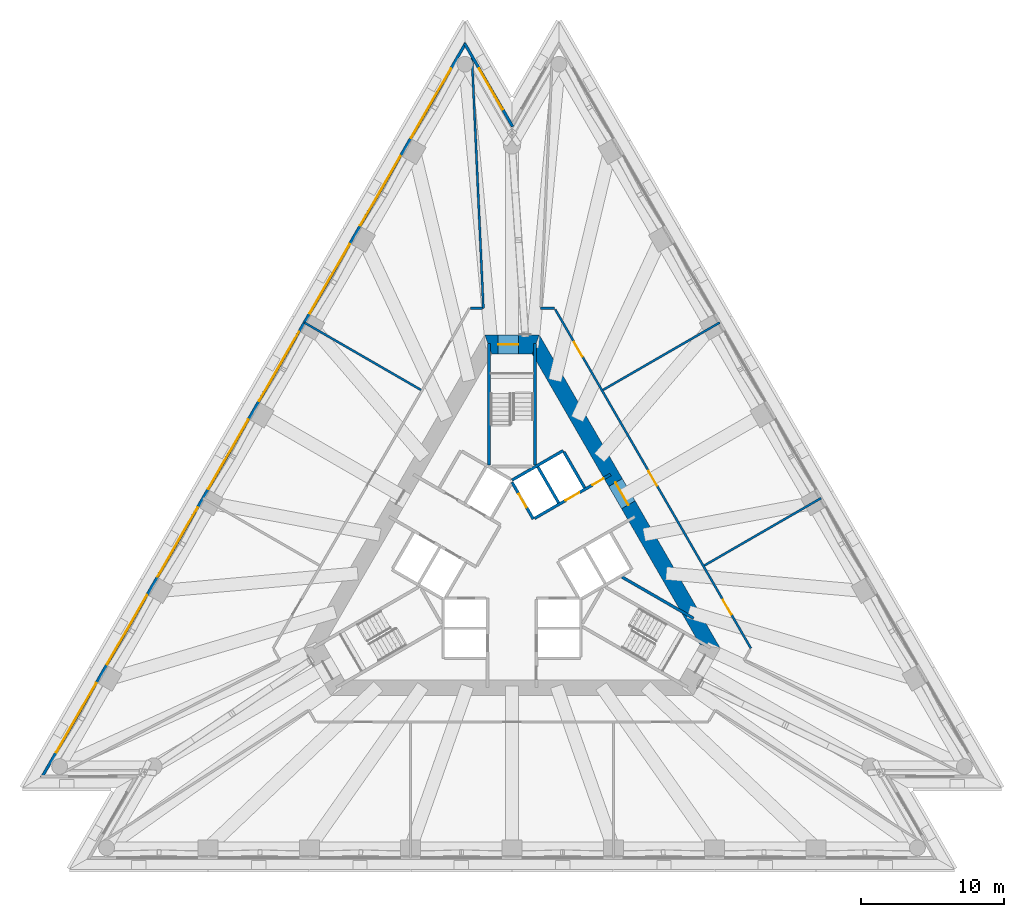
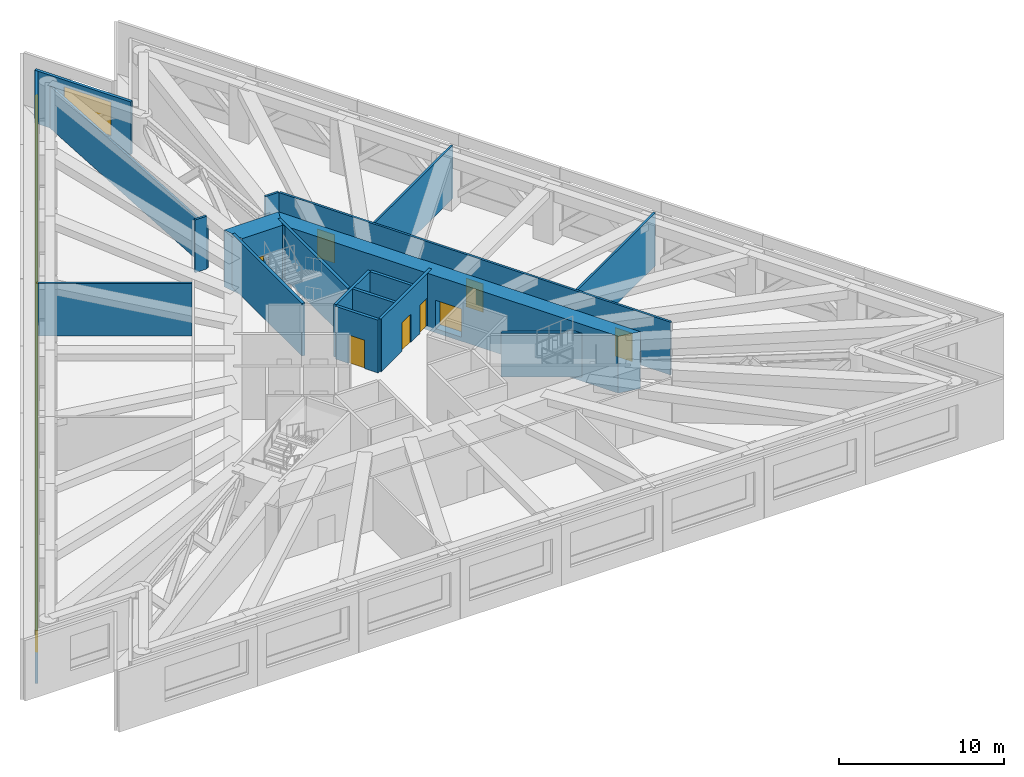
# One storey, part 9 of 13: 19 walls, 9 windows, 8 doors, 17 openings.
"""IFC4 building model written with IfcOpenShell, lengths in metres."""

from ifc_helpers import new_model, si_unit, direction, frame, frame_2d, origin, place, context, subcontext, project, spatial, polyline, rectangle, outline, extrude, material, layer, layer_set, layer_usage, type_object, element, fill, save


model = new_model("IFC4")

# Units and contexts
model_context = context("Model", 3, precision=1e-05, world=origin(), true_north=direction((0.0, 1.0)))
body_context = subcontext(model_context, "Body", "Model", "MODEL_VIEW")
ifc_project = project(units=[si_unit("LENGTHUNIT", "METRE"), si_unit("AREAUNIT", "SQUARE_METRE"), si_unit("VOLUMEUNIT", "CUBIC_METRE"), si_unit("PLANEANGLEUNIT", "RADIAN"), si_unit("MASSUNIT", "GRAM", prefix="KILO")], contexts=[model_context])

# Site, building, storey
site_placement = place(None, origin())
site = spatial("IfcSite", under=ifc_project, at=site_placement, CompositionType="ELEMENT")
building_placement = place(site_placement, origin())
building = spatial("IfcBuilding", under=site, at=building_placement, Name="Triada Interchange Tower", CompositionType="ELEMENT")
storey_placement = place(building_placement, frame((0.0, 0.0, 95.300048828125)))
storey = spatial("IfcBuildingStorey", under=building, at=storey_placement, Name="L21", CompositionType="ELEMENT", Elevation=95.300048828125)

# Wall
ifc_material_1 = material(Name="Concrete C30/37", Category="concrete")
ifc_layer_1 = layer(ifc_material_1, 0.199951171875)
ifc_layer_set_1 = layer_set([ifc_layer_1], Name="CORE WALL 200 EI 120")
wall_type_1 = type_object("IfcWallType", Name="CORE WALL 200 EI 120", PredefinedType="SOLIDWALL", material=ifc_layer_set_1)
wall_1_placement = place(storey_placement, frame((-0.001953125, 5.541015625, 0.0), z_axis=(0.0, 0.0, 1.0), x_axis=(0.86600155993, 0.500041296494, 0.0)))
element("IfcWall", 1, at=wall_1_placement, inside=storey, type_object=wall_type_1, Name="Wall L21 32", PredefinedType="SOLIDWALL", context=body_context, shape_type="SweptSolid", body=[
    extrude(rectangle(XDim=4.131591796875, YDim=0.199951171875, at=frame_2d((2.06591796875, 0.0))), origin(), (0.0, 0.0, 1.0), 3.89990234375),
])

# Wall, opening, door
wall_2_placement = place(storey_placement, frame((0.0, 5.39990234375, 0.0), z_axis=(0.0, 0.0, 1.0), x_axis=(0.500103862429, -0.865965430478, 0.0)))
wall_2 = element("IfcWall", 2, at=wall_2_placement, inside=storey, type_object=wall_type_1, Name="Wall L21 33", PredefinedType="SOLIDWALL", context=body_context, shape_type="SweptSolid", body=[
    extrude(rectangle(XDim=2.973388671875, YDim=0.199951171875, at=frame_2d((1.48681640625, 0.0))), origin(), (0.0, 0.0, 1.0), 3.89990234375),
])
opening_1_placement = place(wall_2_placement, frame((0.93701171875, 0.0, 0.0)))
opening_1 = element("IfcOpeningElement", 3, at=opening_1_placement, cuts=wall_2, Name="Opening LD-LR5", PredefinedType="OPENING", context=body_context, shape_type="SweptSolid", body=[
    extrude(rectangle(XDim=1.10009765625, YDim=2.10009765625, at=frame_2d((0.550048828125, 1.050048828125))), frame((0.0, 0.10986328125, 0.0), z_axis=(0.0, -1.0, 0.0), x_axis=(1.0, 0.0, 0.0)), (0.0, 0.0, 1.0), 0.219970703125),
])
ifc_material_2 = material(Name="Steel S235 door leaf", Category="steel")
door_type_1 = type_object("IfcDoorType", Name="LIFT LANDING DOOR 1100 EI 120", OperationType="SLIDING_TO_LEFT", PredefinedType="DOOR", material=ifc_material_2)
door_1_placement = place(opening_1_placement, origin())
door_1 = element("IfcDoor", 4, at=door_1_placement, inside=storey, type_object=door_type_1, Name="LR5 landing door L21", OperationType="SLIDING_TO_LEFT", OverallHeight=2.10009765625, OverallWidth=1.10009765625, PredefinedType="DOOR", context=body_context, shape_type="SweptSolid", body=[
    extrude(rectangle(XDim=1.10009765625, YDim=2.10009765625, at=frame_2d((0.550048828125, 1.050048828125))), frame((0.0, 0.02490234375, 0.0), z_axis=(0.0, -1.0, 0.0), x_axis=(1.0, 0.0, 0.0)), (0.0, 0.0, 1.0), 0.050048828125),
])
fill(opening_1, door_1)

# Wall, openings, doors
wall_3_placement = place(storey_placement, frame((1.577880859375, 2.8740234375, 0.0), z_axis=(0.0, 0.0, 1.0), x_axis=(0.866062167127, 0.499936318615, 0.0)))
wall_3 = element("IfcWall", 5, at=wall_3_placement, inside=storey, type_object=wall_type_1, Name="Wall L21 35", PredefinedType="SOLIDWALL", context=body_context, shape_type="SweptSolid", body=[
    extrude(rectangle(XDim=6.126708984375, YDim=0.199951171875, at=frame_2d((3.0634765625, 0.0))), origin(), (0.0, 0.0, 1.0), 3.89990234375),
])
opening_2_placement = place(wall_3_placement, frame((2.49609375, 0.0, 0.0)))
opening_2 = element("IfcOpeningElement", 6, at=opening_2_placement, cuts=wall_3, Name="Opening LD-LR6", PredefinedType="OPENING", context=body_context, shape_type="SweptSolid", body=[
    extrude(rectangle(XDim=1.10009765625, YDim=2.10009765625, at=frame_2d((0.550048828125, 1.050048828125))), frame((0.0, 0.10986328125, 0.0), z_axis=(0.0, -1.0, 0.0), x_axis=(1.0, 0.0, 0.0)), (0.0, 0.0, 1.0), 0.219970703125),
])
opening_3_placement = place(wall_3_placement, frame((4.6708984375, 0.0, 0.0)))
opening_3 = element("IfcOpeningElement", 7, at=opening_3_placement, cuts=wall_3, Name="Opening D21-26", PredefinedType="OPENING", context=body_context, shape_type="SweptSolid", body=[
    extrude(rectangle(XDim=0.89990234375, YDim=2.10009765625, at=frame_2d((0.449951171875, 1.050048828125))), frame((0.0, 0.10986328125, 0.0), z_axis=(0.0, -1.0, 0.0), x_axis=(1.0, 0.0, 0.0)), (0.0, 0.0, 1.0), 0.219970703125),
])
door_2_placement = place(opening_2_placement, origin())
door_2 = element("IfcDoor", 8, at=door_2_placement, inside=storey, type_object=door_type_1, Name="LR6 landing door L21", OperationType="SLIDING_TO_LEFT", OverallHeight=2.10009765625, OverallWidth=1.10009765625, PredefinedType="DOOR", context=body_context, shape_type="SweptSolid", body=[
    extrude(rectangle(XDim=1.10009765625, YDim=2.10009765625, at=frame_2d((0.550048828125, 1.050048828125))), frame((0.0, 0.02490234375, 0.0), z_axis=(0.0, -1.0, 0.0), x_axis=(1.0, 0.0, 0.0)), (0.0, 0.0, 1.0), 0.050048828125),
])
fill(opening_2, door_2)
door_type_2 = type_object("IfcDoorType", Name="SERVICE DOOR 900 EI2 45-C5S200", OperationType="NOTDEFINED", PredefinedType="DOOR", material=ifc_material_2)
door_3_placement = place(opening_3_placement, origin())
door_3 = element("IfcDoor", 9, at=door_3_placement, inside=storey, type_object=door_type_2, Name="Door D21-26 L21", OperationType="SINGLE_SWING_LEFT", OverallHeight=2.10009765625, OverallWidth=0.89990234375, PredefinedType="DOOR", context=body_context, shape_type="SweptSolid", body=[
    extrude(rectangle(XDim=0.89990234375, YDim=2.10009765625, at=frame_2d((0.449951171875, 1.050048828125))), frame((0.0, 0.02490234375, 0.0), z_axis=(0.0, -1.0, 0.0), x_axis=(1.0, 0.0, 0.0)), (0.0, 0.0, 1.0), 0.050048828125),
])
fill(opening_3, door_3)

# Walls
for number, where, z_axis, x_axis, name in (
    (10, (3.6259765625, 7.52001953125, 0.0), (0.0, 0.0, 1.0), (0.500060147554, -0.865990674793, 0.0), "Wall L21 39"),
    (11, (1.806884765625, 6.469970703125, 0.0), (0.0, 0.0, 1.0), (0.50012328804, -0.865954211699, 0.0), "Wall L21 41"),
):
    element("IfcWall", number, at=place(storey_placement, frame(where, z_axis=z_axis, x_axis=x_axis)), inside=storey, type_object=wall_type_1, Name=name, PredefinedType="SOLIDWALL", context=body_context, shape_type="SweptSolid", body=[
        extrude(rectangle(XDim=2.899658203125, YDim=0.199951171875, at=frame_2d((1.44970703125, 0.0))), origin(), (0.0, 0.0, 1.0), 3.89990234375),
    ])
ifc_layer_2 = layer(ifc_material_1, 0.199951171875)
ifc_layer_set_2 = layer_set([ifc_layer_2], Name="CORE WALL 200 EI 90")
wall_type_2 = type_object("IfcWallType", Name="CORE WALL 200 EI 90", PredefinedType="SOLIDWALL", material=ifc_layer_set_2)
wall_4_placement = place(storey_placement, frame((7.68310546875, -1.221923828125, 0.0), z_axis=(0.0, 0.0, 1.0), x_axis=(0.865960281868, -0.500112777509, 0.0)))
element("IfcWall", 12, at=wall_4_placement, inside=storey, type_object=wall_type_2, Name="Wall L21 59", PredefinedType="SOLIDWALL", context=body_context, shape_type="SweptSolid", body=[
    extrude(rectangle(XDim=5.775146484375, YDim=0.199951171875, at=frame_2d((2.8876953125, 0.0))), origin(), (0.0, 0.0, 1.0), 3.25),
])
ifc_layer_3 = layer(ifc_material_1, 0.199951171875)
ifc_layer_set_3 = layer_set([ifc_layer_3], Name="CORE WALL 200 REI 240")
wall_type_3 = type_object("IfcWallType", Name="CORE WALL 200 REI 240", PredefinedType="SOLIDWALL", material=ifc_layer_set_3)
for number, where, z_axis, x_axis, name in (
    (13, (1.60009765625, 6.614990234375, 0.0), (0.0, 0.0, 1.0), (0.0, 1.0, 0.0), "Wall L21 63"),
    (14, (-1.60009765625, 6.614990234375, 0.0), (0.0, 0.0, 1.0), (0.0, 1.0, 0.0), "Wall L21 65"),
):
    element("IfcWall", number, at=place(storey_placement, frame(where, z_axis=z_axis, x_axis=x_axis)), inside=storey, type_object=wall_type_3, Name=name, PredefinedType="SOLIDWALL", context=body_context, shape_type="SweptSolid", body=[
        extrude(rectangle(XDim=8.47412109375, YDim=0.199951171875, at=frame_2d((4.237060546875, 0.0))), origin(), (0.0, 0.0, 1.0), 3.89990234375),
    ])

# Wall, opening, door
ifc_material_3 = material(Name="Concrete C70/85", Category="concrete")
ifc_layer_4 = layer(ifc_material_3, 1.10009765625)
ifc_layer_set_4 = layer_set([ifc_layer_4], Name="Core wall A 1100")
wall_type_4 = type_object("IfcWallType", Name="Core wall A 1100", PredefinedType="SHEAR", material=ifc_layer_set_4)
wall_5_placement = place(storey_placement, frame((13.842041015625, -6.074951171875, -0.300048828125), z_axis=(0.0, 0.0, 1.0), x_axis=(-0.500003780125, 0.866023221317, 0.0)))
wall_5 = element("IfcWall", 15, at=wall_5_placement, inside=storey, type_object=wall_type_4, Name="Core wall WA06 L21", PredefinedType="SHEAR", context=body_context, shape_type="SweptSolid", body=[
    extrude(outline(polyline([(-0.4619140625, -0.550048828125), (1.4833984375, -0.550048828125), (3.428466796875, -0.550048828125), (5.373779296875, -0.550048828125), (7.31884765625, -0.550048828125), (9.26416015625, -0.550048828125), (11.20947265625, -0.550048828125), (13.154541015625, -0.550048828125), (15.099853515625, -0.550048828125), (17.045166015625, -0.550048828125), (18.990234375, -0.550048828125), (20.935546875, -0.550048828125), (22.880615234375, -0.550048828125), (24.825927734375, -0.550048828125), (23.902099609375, 0.550048828125), (21.94873046875, 0.550048828125), (19.995361328125, 0.550048828125), (18.0419921875, 0.550048828125), (16.088623046875, 0.550048828125), (14.13525390625, 0.550048828125), (12.18212890625, 0.550048828125), (10.228759765625, 0.550048828125), (8.275390625, 0.550048828125), (6.322021484375, 0.550048828125), (4.36865234375, 0.550048828125), (2.415283203125, 0.550048828125), (0.4619140625, 0.550048828125), (-0.4619140625, -0.550048828125)])), origin(), (0.0, 0.0, 1.0), 4.199951171875),
])
opening_4_placement = place(wall_5_placement, frame((11.426025390625, 0.0, 0.300048828125)))
opening_4 = element("IfcOpeningElement", 16, at=opening_4_placement, cuts=wall_5, Name="Opening D21-20", PredefinedType="OPENING", context=body_context, shape_type="SweptSolid", body=[
    extrude(rectangle(XDim=1.800048828125, YDim=2.10009765625, at=frame_2d((0.89990234375, 1.050048828125))), frame((0.0, 0.56005859375, 0.0), z_axis=(0.0, -1.0, 0.0), x_axis=(1.0, 0.0, 0.0)), (0.0, 0.0, 1.0), 1.1201171875),
])
door_type_3 = type_object("IfcDoorType", Name="LOBBY DOOR 1800 EI2 90-C5S200", OperationType="DOUBLE_DOOR_SINGLE_SWING", PredefinedType="DOOR", material=ifc_material_2)
door_4_placement = place(opening_4_placement, origin())
door_4 = element("IfcDoor", 17, at=door_4_placement, inside=storey, type_object=door_type_3, Name="Door D21-20 L21", OperationType="DOUBLE_DOOR_SINGLE_SWING", OverallHeight=2.10009765625, OverallWidth=1.800048828125, PredefinedType="DOOR", context=body_context, shape_type="SweptSolid", body=[
    extrude(rectangle(XDim=1.800048828125, YDim=2.10009765625, at=frame_2d((0.89990234375, 1.050048828125))), frame((0.0, 0.02490234375, 0.0), z_axis=(0.0, -1.0, 0.0), x_axis=(1.0, 0.0, 0.0)), (0.0, 0.0, 1.0), 0.050048828125),
])
fill(opening_4, door_4)

ifc_layer_5 = layer(ifc_material_3, 1.35009765625)
ifc_layer_set_5 = layer_set([ifc_layer_5], Name="Core wall A 1350")
wall_type_5 = type_object("IfcWallType", Name="Core wall A 1350", PredefinedType="SHEAR", material=ifc_layer_set_5)
wall_6_placement = place(storey_placement, frame((1.659912109375, 15.02490234375, -0.300048828125), z_axis=(0.0, 0.0, 1.0), x_axis=(-1.0, 0.0, 0.0)))
wall_6 = element("IfcWall", 18, at=wall_6_placement, inside=storey, type_object=wall_type_5, Name="Core wall WA01 L21", PredefinedType="SHEAR", context=body_context, shape_type="SweptSolid", body=[
    extrude(outline(polyline([(-0.2451171875, -0.675048828125), (1.659912109375, -0.675048828125), (3.56494140625, -0.675048828125), (3.074951171875, 0.675048828125), (1.66015625, 0.675048828125), (0.2451171875, 0.675048828125), (-0.2451171875, -0.675048828125)])), origin(), (0.0, 0.0, 1.0), 4.199951171875),
])
opening_5_placement = place(wall_6_placement, frame((1.220947265625, 0.0, 0.300048828125)))
opening_5 = element("IfcOpeningElement", 19, at=opening_5_placement, cuts=wall_6, Name="Opening D21-21", PredefinedType="OPENING", context=body_context, shape_type="SweptSolid", body=[
    extrude(rectangle(XDim=1.39990234375, YDim=2.10009765625, at=frame_2d((0.699951171875, 1.050048828125))), frame((0.0, 0.68505859375, 0.0), z_axis=(0.0, -1.0, 0.0), x_axis=(1.0, 0.0, 0.0)), (0.0, 0.0, 1.0), 1.3701171875),
])
door_type_4 = type_object("IfcDoorType", Name="STAIR DOOR 1400 EI2 90-C5S200", OperationType="DOUBLE_DOOR_SINGLE_SWING", PredefinedType="DOOR", material=ifc_material_2)
door_5_placement = place(opening_5_placement, origin())
door_5 = element("IfcDoor", 20, at=door_5_placement, inside=storey, type_object=door_type_4, Name="Door D21-21 L21", OperationType="DOUBLE_DOOR_SINGLE_SWING", OverallHeight=2.10009765625, OverallWidth=1.39990234375, PredefinedType="DOOR", context=body_context, shape_type="SweptSolid", body=[
    extrude(rectangle(XDim=1.39990234375, YDim=2.10009765625, at=frame_2d((0.699951171875, 1.050048828125))), frame((0.0, 0.02490234375, 0.0), z_axis=(0.0, -1.0, 0.0), x_axis=(1.0, 0.0, 0.0)), (0.0, 0.0, 1.0), 0.050048828125),
])
fill(opening_5, door_5)

# Wall, openings, windows
ifc_material_4 = material(Name="Cement board")
ifc_layer_6 = layer(ifc_material_4, 0.02001953125, Name="Cement board cladding")
ifc_material_5 = material(Name="Sheathing board")
ifc_layer_7 = layer(ifc_material_5, 0.014892578125, Name="Sheathing board")
ifc_material_6 = material(Name="Mineral wool")
ifc_layer_8 = layer(ifc_material_6, 0.14990234375, Name="Mineral wool between steel studs")
ifc_material_7 = material(Name="Gypsum board")
ifc_layer_9 = layer(ifc_material_7, 0.014892578125, Name="Plasterboard lining")
ifc_layer_set_6 = layer_set([ifc_layer_6, ifc_layer_7, ifc_layer_8, ifc_layer_9], Name="External wall 200")
ifc_layer_usage = layer_usage(ifc_layer_set_6, "AXIS2", "POSITIVE", -0.10009765625)
wall_type_6 = type_object("IfcWallType", Name="External wall 200", PredefinedType="ELEMENTEDWALL", material=ifc_layer_set_6)
wall_7_placement = place(storey_placement, frame((-3.23388671875, 36.072021484375, 0.0), z_axis=(0.0, 0.0, 1.0), x_axis=(-0.500009108245, -0.866020145073, 0.0)))
wall_7 = element("IfcWall", 21, at=wall_7_placement, inside=storey, type_object=wall_type_6, material=ifc_layer_usage, Name="External wall L21 NW", PredefinedType="ELEMENTEDWALL", context=body_context, shape_type="SweptSolid", body=[
    extrude(rectangle(XDim=59.22509765625, YDim=0.199951171875, at=frame_2d((29.612548828125, 0.0))), origin(), (0.0, 0.0, 1.0), 3.89990234375),
])
opening_6_placement = place(wall_7_placement, frame((2.0419921875, 0.0, 0.89990234375)))
opening_6 = element("IfcOpeningElement", 22, at=opening_6_placement, cuts=wall_7, Name="Opening WA01", PredefinedType="OPENING", context=body_context, shape_type="SweptSolid", body=[
    extrude(rectangle(XDim=5.60009765625, YDim=2.5, at=frame_2d((2.800048828125, 1.25))), frame((0.0, 0.10986328125, 0.0), z_axis=(0.0, -1.0, 0.0), x_axis=(1.0, 0.0, 0.0)), (0.0, 0.0, 1.0), 0.219970703125),
])
opening_7_placement = place(wall_7_placement, frame((9.1220703125, 0.0, 0.89990234375)))
opening_7 = element("IfcOpeningElement", 23, at=opening_7_placement, cuts=wall_7, Name="Opening WA02", PredefinedType="OPENING", context=body_context, shape_type="SweptSolid", body=[
    extrude(rectangle(XDim=5.60009765625, YDim=2.5, at=frame_2d((2.800048828125, 1.25))), frame((0.0, 0.10986328125, 0.0), z_axis=(0.0, -1.0, 0.0), x_axis=(1.0, 0.0, 0.0)), (0.0, 0.0, 1.0), 0.219970703125),
])
opening_8_placement = place(wall_7_placement, frame((16.201904296875, 0.0, 0.89990234375)))
opening_8 = element("IfcOpeningElement", 24, at=opening_8_placement, cuts=wall_7, Name="Opening WA03", PredefinedType="OPENING", context=body_context, shape_type="SweptSolid", body=[
    extrude(rectangle(XDim=5.60009765625, YDim=2.5, at=frame_2d((2.800048828125, 1.25))), frame((0.0, 0.10986328125, 0.0), z_axis=(0.0, -1.0, 0.0), x_axis=(1.0, 0.0, 0.0)), (0.0, 0.0, 1.0), 0.219970703125),
])
opening_9_placement = place(wall_7_placement, frame((23.281982421875, 0.0, 0.89990234375)))
opening_9 = element("IfcOpeningElement", 25, at=opening_9_placement, cuts=wall_7, Name="Opening WA04", PredefinedType="OPENING", context=body_context, shape_type="SweptSolid", body=[
    extrude(rectangle(XDim=5.60009765625, YDim=2.5, at=frame_2d((2.800048828125, 1.25))), frame((0.0, 0.10986328125, 0.0), z_axis=(0.0, -1.0, 0.0), x_axis=(1.0, 0.0, 0.0)), (0.0, 0.0, 1.0), 0.219970703125),
])
opening_10_placement = place(wall_7_placement, frame((30.362060546875, 0.0, 0.89990234375)))
opening_10 = element("IfcOpeningElement", 26, at=opening_10_placement, cuts=wall_7, Name="Opening WA05", PredefinedType="OPENING", context=body_context, shape_type="SweptSolid", body=[
    extrude(rectangle(XDim=5.60009765625, YDim=2.5, at=frame_2d((2.800048828125, 1.25))), frame((0.0, 0.10986328125, 0.0), z_axis=(0.0, -1.0, 0.0), x_axis=(1.0, 0.0, 0.0)), (0.0, 0.0, 1.0), 0.219970703125),
])
opening_11_placement = place(wall_7_placement, frame((37.44189453125, 0.0, 0.89990234375)))
opening_11 = element("IfcOpeningElement", 27, at=opening_11_placement, cuts=wall_7, Name="Opening WA06", PredefinedType="OPENING", context=body_context, shape_type="SweptSolid", body=[
    extrude(rectangle(XDim=5.60009765625, YDim=2.5, at=frame_2d((2.800048828125, 1.25))), frame((0.0, 0.10986328125, 0.0), z_axis=(0.0, -1.0, 0.0), x_axis=(1.0, 0.0, 0.0)), (0.0, 0.0, 1.0), 0.219970703125),
])
opening_12_placement = place(wall_7_placement, frame((44.52197265625, 0.0, 0.89990234375)))
opening_12 = element("IfcOpeningElement", 28, at=opening_12_placement, cuts=wall_7, Name="Opening WA07", PredefinedType="OPENING", context=body_context, shape_type="SweptSolid", body=[
    extrude(rectangle(XDim=5.60009765625, YDim=2.5, at=frame_2d((2.800048828125, 1.25))), frame((0.0, 0.10986328125, 0.0), z_axis=(0.0, -1.0, 0.0), x_axis=(1.0, 0.0, 0.0)), (0.0, 0.0, 1.0), 0.219970703125),
])
opening_13_placement = place(wall_7_placement, frame((51.60205078125, 0.0, 0.89990234375)))
opening_13 = element("IfcOpeningElement", 29, at=opening_13_placement, cuts=wall_7, Name="Opening WA08", PredefinedType="OPENING", context=body_context, shape_type="SweptSolid", body=[
    extrude(rectangle(XDim=5.60009765625, YDim=2.5, at=frame_2d((2.800048828125, 1.25))), frame((0.0, 0.10986328125, 0.0), z_axis=(0.0, -1.0, 0.0), x_axis=(1.0, 0.0, 0.0)), (0.0, 0.0, 1.0), 0.219970703125),
])
ifc_material_8 = material(Name="Double glazed aluminium window", Category="aluminium")
window_type_1 = type_object("IfcWindowType", Name="Ribbon window A face", PartitioningType="SINGLE_PANEL", PredefinedType="WINDOW", material=ifc_material_8)
window_1_placement = place(opening_6_placement, origin())
window_1 = element("IfcWindow", 30, at=window_1_placement, inside=storey, type_object=window_type_1, Name="Window L21 NW 1", OverallHeight=2.5, OverallWidth=5.60009765625, PartitioningType="SINGLE_PANEL", PredefinedType="WINDOW", context=body_context, shape_type="SweptSolid", body=[
    extrude(rectangle(XDim=5.60009765625, YDim=2.5, at=frame_2d((2.800048828125, 1.25))), frame((0.0, 0.030029296875, 0.0), z_axis=(0.0, -1.0, 0.0), x_axis=(1.0, 0.0, 0.0)), (0.0, 0.0, 1.0), 0.06005859375),
])
fill(opening_6, window_1)
window_2_placement = place(opening_7_placement, origin())
window_2 = element("IfcWindow", 31, at=window_2_placement, inside=storey, type_object=window_type_1, Name="Window L21 NW 2", OverallHeight=2.5, OverallWidth=5.60009765625, PartitioningType="SINGLE_PANEL", PredefinedType="WINDOW", context=body_context, shape_type="SweptSolid", body=[
    extrude(rectangle(XDim=5.60009765625, YDim=2.5, at=frame_2d((2.800048828125, 1.25))), frame((0.0, 0.030029296875, 0.0), z_axis=(0.0, -1.0, 0.0), x_axis=(1.0, 0.0, 0.0)), (0.0, 0.0, 1.0), 0.06005859375),
])
fill(opening_7, window_2)
window_3_placement = place(opening_8_placement, origin())
window_3 = element("IfcWindow", 32, at=window_3_placement, inside=storey, type_object=window_type_1, Name="Window L21 NW 3", OverallHeight=2.5, OverallWidth=5.60009765625, PartitioningType="SINGLE_PANEL", PredefinedType="WINDOW", context=body_context, shape_type="SweptSolid", body=[
    extrude(rectangle(XDim=5.60009765625, YDim=2.5, at=frame_2d((2.800048828125, 1.25))), frame((0.0, 0.030029296875, 0.0), z_axis=(0.0, -1.0, 0.0), x_axis=(1.0, 0.0, 0.0)), (0.0, 0.0, 1.0), 0.06005859375),
])
fill(opening_8, window_3)
window_4_placement = place(opening_9_placement, origin())
window_4 = element("IfcWindow", 33, at=window_4_placement, inside=storey, type_object=window_type_1, Name="Window L21 NW 4", OverallHeight=2.5, OverallWidth=5.60009765625, PartitioningType="SINGLE_PANEL", PredefinedType="WINDOW", context=body_context, shape_type="SweptSolid", body=[
    extrude(rectangle(XDim=5.60009765625, YDim=2.5, at=frame_2d((2.800048828125, 1.25))), frame((0.0, 0.030029296875, 0.0), z_axis=(0.0, -1.0, 0.0), x_axis=(1.0, 0.0, 0.0)), (0.0, 0.0, 1.0), 0.06005859375),
])
fill(opening_9, window_4)
window_5_placement = place(opening_10_placement, origin())
window_5 = element("IfcWindow", 34, at=window_5_placement, inside=storey, type_object=window_type_1, Name="Window L21 NW 5", OverallHeight=2.5, OverallWidth=5.60009765625, PartitioningType="SINGLE_PANEL", PredefinedType="WINDOW", context=body_context, shape_type="SweptSolid", body=[
    extrude(rectangle(XDim=5.60009765625, YDim=2.5, at=frame_2d((2.800048828125, 1.25))), frame((0.0, 0.030029296875, 0.0), z_axis=(0.0, -1.0, 0.0), x_axis=(1.0, 0.0, 0.0)), (0.0, 0.0, 1.0), 0.06005859375),
])
fill(opening_10, window_5)
window_6_placement = place(opening_11_placement, origin())
window_6 = element("IfcWindow", 35, at=window_6_placement, inside=storey, type_object=window_type_1, Name="Window L21 NW 6", OverallHeight=2.5, OverallWidth=5.60009765625, PartitioningType="SINGLE_PANEL", PredefinedType="WINDOW", context=body_context, shape_type="SweptSolid", body=[
    extrude(rectangle(XDim=5.60009765625, YDim=2.5, at=frame_2d((2.800048828125, 1.25))), frame((0.0, 0.030029296875, 0.0), z_axis=(0.0, -1.0, 0.0), x_axis=(1.0, 0.0, 0.0)), (0.0, 0.0, 1.0), 0.06005859375),
])
fill(opening_11, window_6)
window_7_placement = place(opening_12_placement, origin())
window_7 = element("IfcWindow", 36, at=window_7_placement, inside=storey, type_object=window_type_1, Name="Window L21 NW 7", OverallHeight=2.5, OverallWidth=5.60009765625, PartitioningType="SINGLE_PANEL", PredefinedType="WINDOW", context=body_context, shape_type="SweptSolid", body=[
    extrude(rectangle(XDim=5.60009765625, YDim=2.5, at=frame_2d((2.800048828125, 1.25))), frame((0.0, 0.030029296875, 0.0), z_axis=(0.0, -1.0, 0.0), x_axis=(1.0, 0.0, 0.0)), (0.0, 0.0, 1.0), 0.06005859375),
])
fill(opening_12, window_7)
window_8_placement = place(opening_13_placement, origin())
window_8 = element("IfcWindow", 37, at=window_8_placement, inside=storey, type_object=window_type_1, Name="Window L21 NW 8", OverallHeight=2.5, OverallWidth=5.60009765625, PartitioningType="SINGLE_PANEL", PredefinedType="WINDOW", context=body_context, shape_type="SweptSolid", body=[
    extrude(rectangle(XDim=5.60009765625, YDim=2.5, at=frame_2d((2.800048828125, 1.25))), frame((0.0, 0.030029296875, 0.0), z_axis=(0.0, -1.0, 0.0), x_axis=(1.0, 0.0, 0.0)), (0.0, 0.0, 1.0), 0.06005859375),
])
fill(opening_13, window_8)

# Wall, opening, window
wall_8_placement = place(storey_placement, frame((0.044921875, 30.236083984375, 0.0), z_axis=(0.0, 0.0, 1.0), x_axis=(-0.49993005842, 0.866065780809, 0.0)))
wall_8 = element("IfcWall", 38, at=wall_8_placement, inside=storey, type_object=wall_type_6, material=ifc_layer_usage, Name="External wall L21 N-2", PredefinedType="ELEMENTEDWALL", context=body_context, shape_type="SweptSolid", body=[
    extrude(rectangle(XDim=6.71875, YDim=0.199951171875, at=frame_2d((3.359375, 0.0))), origin(), (0.0, 0.0, 1.0), 3.89990234375),
])
opening_14_placement = place(wall_8_placement, frame((1.389892578125, 0.0, 0.89990234375)))
opening_14 = element("IfcOpeningElement", 39, at=opening_14_placement, cuts=wall_8, Name="Opening WA30", PredefinedType="OPENING", context=body_context, shape_type="SweptSolid", body=[
    extrude(rectangle(XDim=3.300048828125, YDim=2.5, at=frame_2d((1.64990234375, 1.25))), frame((0.0, 0.10986328125, 0.0), z_axis=(0.0, -1.0, 0.0), x_axis=(1.0, 0.0, 0.0)), (0.0, 0.0, 1.0), 0.219970703125),
])
window_type_2 = type_object("IfcWindowType", Name="Ribbon window A pocket", PartitioningType="SINGLE_PANEL", PredefinedType="WINDOW", material=ifc_material_8)
window_9_placement = place(opening_14_placement, origin())
window_9 = element("IfcWindow", 40, at=window_9_placement, inside=storey, type_object=window_type_2, Name="Window L21 N-2 1", OverallHeight=2.5, OverallWidth=3.300048828125, PartitioningType="SINGLE_PANEL", PredefinedType="WINDOW", context=body_context, shape_type="SweptSolid", body=[
    extrude(rectangle(XDim=3.300048828125, YDim=2.5, at=frame_2d((1.64990234375, 1.25))), frame((0.0, 0.030029296875, 0.0), z_axis=(0.0, -1.0, 0.0), x_axis=(1.0, 0.0, 0.0)), (0.0, 0.0, 1.0), 0.06005859375),
])
fill(opening_14, window_9)

# Walls
ifc_material_9 = material(Name="Gypsum board partition")
ifc_layer_10 = layer(ifc_material_9, 0.14990234375)
ifc_layer_set_7 = layer_set([ifc_layer_10], Name="PARTITION 150 EI 180")
wall_type_7 = type_object("IfcWallType", Name="PARTITION 150 EI 180", PredefinedType="PARTITIONING", material=ifc_layer_set_7)
wall_9_placement = place(storey_placement, frame((-14.5048828125, 16.550048828125, 0.0), z_axis=(0.0, 0.0, 1.0), x_axis=(0.866018845103, -0.500011359798, 0.0)))
element("IfcWall", 41, at=wall_9_placement, inside=storey, type_object=wall_type_7, Name="Wall L21 8", PredefinedType="PARTITIONING", context=body_context, shape_type="SweptSolid", body=[
    extrude(rectangle(XDim=9.411865234375, YDim=0.14990234375, at=frame_2d((4.7060546875, 0.0))), origin(), (0.0, 0.0, 1.0), 3.89990234375),
])
wall_10_placement = place(storey_placement, frame((-2.802001953125, 35.16796875, 0.0), z_axis=(0.0, 0.0, 1.0), x_axis=(0.045530108202, -0.998962966905, 0.0)))
element("IfcWall", 42, at=wall_10_placement, inside=storey, type_object=wall_type_7, Name="Wall L21 10", PredefinedType="PARTITIONING", context=body_context, shape_type="SweptSolid", body=[
    extrude(rectangle(XDim=17.63623046875, YDim=0.14990234375, at=frame_2d((8.818115234375, 0.0))), origin(), (0.0, 0.0, 1.0), 3.099853515625),
])
wall_11_placement = place(storey_placement, frame((-2.886962890625, 17.550048828125, 0.0), z_axis=(0.0, 0.0, 1.0), x_axis=(1.0, 0.0, 0.0)))
element("IfcWall", 43, at=wall_11_placement, inside=storey, type_object=wall_type_7, Name="Wall L21 11", PredefinedType="PARTITIONING", context=body_context, shape_type="SweptSolid", body=[
    extrude(rectangle(XDim=0.81298828125, YDim=0.14990234375, at=frame_2d((0.406494140625, 0.0))), origin(), (0.0, 0.0, 1.0), 3.89990234375),
])
wall_12_placement = place(storey_placement, frame((2.006103515625, 17.550048828125, 0.0), z_axis=(0.0, 0.0, 1.0), x_axis=(1.0, 0.0, 0.0)))
element("IfcWall", 44, at=wall_12_placement, inside=storey, type_object=wall_type_7, Name="Wall L21 12", PredefinedType="PARTITIONING", context=body_context, shape_type="SweptSolid", body=[
    extrude(rectangle(XDim=0.966796875, YDim=0.14990234375, at=frame_2d((0.4833984375, 0.0))), origin(), (0.0, 0.0, 1.0), 3.89990234375),
])

# Wall, openings, doors
wall_13_placement = place(storey_placement, frame((3.01708984375, 17.47509765625, 0.0), z_axis=(0.0, 0.0, 1.0), x_axis=(0.499977309191, -0.866038503933, 0.0)))
wall_13 = element("IfcWall", 45, at=wall_13_placement, inside=storey, type_object=wall_type_7, Name="Wall L21 13", PredefinedType="PARTITIONING", context=body_context, shape_type="SweptSolid", body=[
    extrude(rectangle(XDim=27.337158203125, YDim=0.14990234375, at=frame_2d((13.66845703125, 0.0))), origin(), (0.0, 0.0, 1.0), 3.89990234375),
])
opening_15_placement = place(wall_13_placement, frame((23.4208984375, 0.0, 0.0)))
opening_15 = element("IfcOpeningElement", 46, at=opening_15_placement, cuts=wall_13, Name="Opening D21-11", PredefinedType="OPENING", context=body_context, shape_type="SweptSolid", body=[
    extrude(rectangle(XDim=1.199951171875, YDim=2.10009765625, at=frame_2d((0.60009765625, 1.050048828125))), frame((0.0, 0.0849609375, 0.0), z_axis=(0.0, -1.0, 0.0), x_axis=(1.0, 0.0, 0.0)), (0.0, 0.0, 1.0), 0.169921875),
])
opening_16_placement = place(wall_13_placement, frame((13.02490234375, 0.0, 0.0)))
opening_16 = element("IfcOpeningElement", 47, at=opening_16_placement, cuts=wall_13, Name="Opening D21-12", PredefinedType="OPENING", context=body_context, shape_type="SweptSolid", body=[
    extrude(rectangle(XDim=1.199951171875, YDim=2.10009765625, at=frame_2d((0.60009765625, 1.050048828125))), frame((0.0, 0.0849609375, 0.0), z_axis=(0.0, -1.0, 0.0), x_axis=(1.0, 0.0, 0.0)), (0.0, 0.0, 1.0), 0.169921875),
])
opening_17_placement = place(wall_13_placement, frame((2.62890625, 0.0, 0.0)))
opening_17 = element("IfcOpeningElement", 48, at=opening_17_placement, cuts=wall_13, Name="Opening D21-13", PredefinedType="OPENING", context=body_context, shape_type="SweptSolid", body=[
    extrude(rectangle(XDim=1.199951171875, YDim=2.10009765625, at=frame_2d((0.60009765625, 1.050048828125))), frame((0.0, 0.0849609375, 0.0), z_axis=(0.0, -1.0, 0.0), x_axis=(1.0, 0.0, 0.0)), (0.0, 0.0, 1.0), 0.169921875),
])
door_type_5 = type_object("IfcDoorType", Name="DOUBLE ROOM DOOR 1200 EI2 45-C5S200", OperationType="DOUBLE_DOOR_SINGLE_SWING", PredefinedType="DOOR", material=ifc_material_2)
door_6_placement = place(opening_15_placement, origin())
door_6 = element("IfcDoor", 49, at=door_6_placement, inside=storey, type_object=door_type_5, Name="Door D21-11 L21", OperationType="DOUBLE_DOOR_SINGLE_SWING", OverallHeight=2.10009765625, OverallWidth=1.199951171875, PredefinedType="DOOR", context=body_context, shape_type="SweptSolid", body=[
    extrude(rectangle(XDim=1.199951171875, YDim=2.10009765625, at=frame_2d((0.60009765625, 1.050048828125))), frame((0.0, 0.02490234375, 0.0), z_axis=(0.0, -1.0, 0.0), x_axis=(1.0, 0.0, 0.0)), (0.0, 0.0, 1.0), 0.050048828125),
])
fill(opening_15, door_6)
door_7_placement = place(opening_16_placement, origin())
door_7 = element("IfcDoor", 50, at=door_7_placement, inside=storey, type_object=door_type_5, Name="Door D21-12 L21", OperationType="DOUBLE_DOOR_SINGLE_SWING", OverallHeight=2.10009765625, OverallWidth=1.199951171875, PredefinedType="DOOR", context=body_context, shape_type="SweptSolid", body=[
    extrude(rectangle(XDim=1.199951171875, YDim=2.10009765625, at=frame_2d((0.60009765625, 1.050048828125))), frame((0.0, 0.02490234375, 0.0), z_axis=(0.0, -1.0, 0.0), x_axis=(1.0, 0.0, 0.0)), (0.0, 0.0, 1.0), 0.050048828125),
])
fill(opening_16, door_7)
door_8_placement = place(opening_17_placement, origin())
door_8 = element("IfcDoor", 51, at=door_8_placement, inside=storey, type_object=door_type_5, Name="Door D21-13 L21", OperationType="DOUBLE_DOOR_SINGLE_SWING", OverallHeight=2.10009765625, OverallWidth=1.199951171875, PredefinedType="DOOR", context=body_context, shape_type="SweptSolid", body=[
    extrude(rectangle(XDim=1.199951171875, YDim=2.10009765625, at=frame_2d((0.60009765625, 1.050048828125))), frame((0.0, 0.02490234375, 0.0), z_axis=(0.0, -1.0, 0.0), x_axis=(1.0, 0.0, 0.0)), (0.0, 0.0, 1.0), 0.050048828125),
])
fill(opening_17, door_8)

# Walls
for number, where, z_axis, x_axis, name in (
    (52, (6.35400390625, 11.843994140625, 0.0), (0.0, 0.0, 1.0), (0.866018845103, 0.500011359798, 0.0), "Wall L21 15"),
    (53, (13.43408203125, -0.4189453125, 0.0), (0.0, 0.0, 1.0), (0.866018845103, 0.500011359798, 0.0), "Wall L21 20"),
):
    element("IfcWall", number, at=place(storey_placement, frame(where, z_axis=z_axis, x_axis=x_axis)), inside=storey, type_object=wall_type_7, Name=name, PredefinedType="PARTITIONING", context=body_context, shape_type="SweptSolid", body=[
        extrude(rectangle(XDim=9.411865234375, YDim=0.14990234375, at=frame_2d((4.7060546875, 0.0))), origin(), (0.0, 0.0, 1.0), 3.89990234375),
    ])

save(model, "model.ifc")
